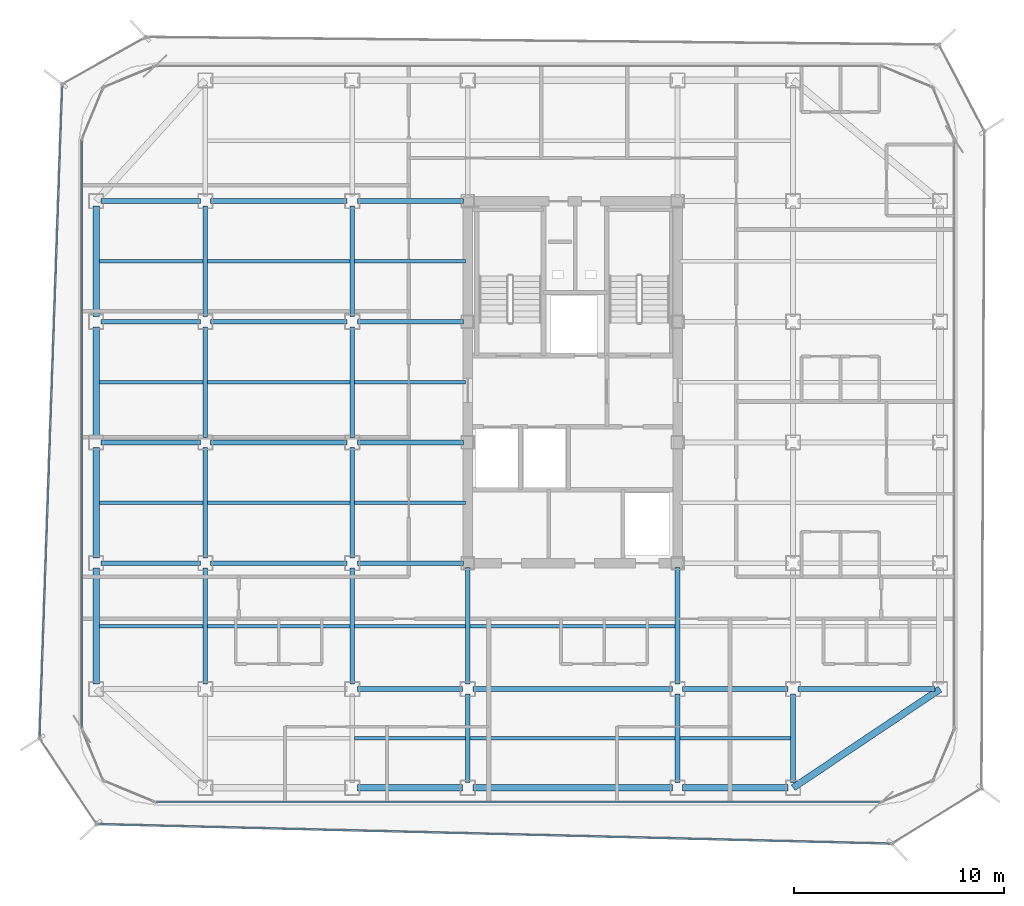
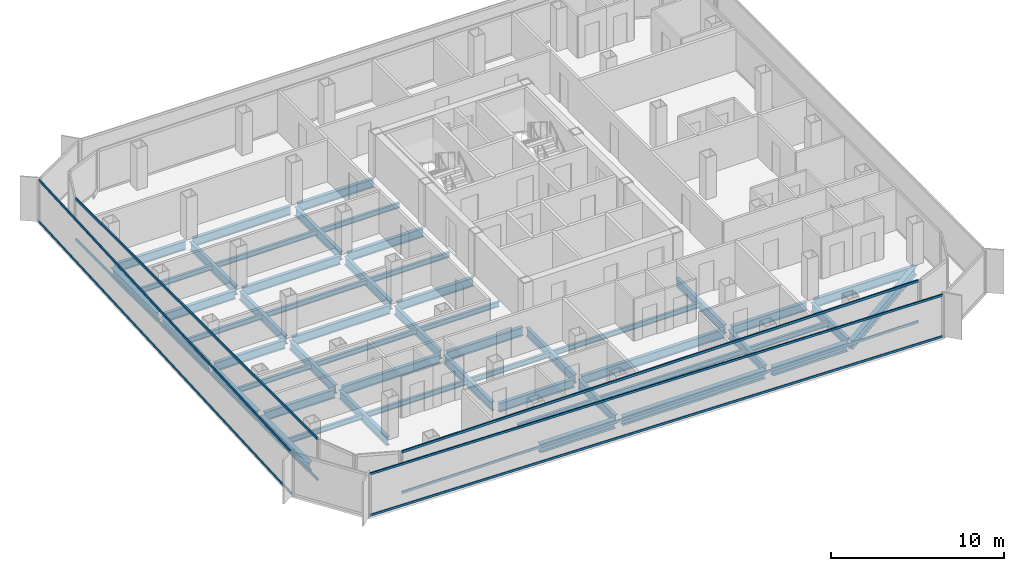
# One storey, part 3 of 15: 53 beams, 8 members, 4 elements without a shape of their own.
"""IFC4 building model written with IfcOpenShell, lengths in metres."""

from ifc_helpers import new_model, si_unit, direction, frame, origin, origin_2d, place, context, subcontext, project, spatial, hollow_rectangle, i_section, extrude, source, transform, mapped, material, layer, layer_set, material_profile, profile_set, type_object, element, aggregate, save


model = new_model("IFC4")

# Units and contexts
model_context = context("Model", 3, precision=1e-05, world=origin(), true_north=direction((0.0, 1.0)))
body_context = subcontext(model_context, "Body", "Model", "MODEL_VIEW")
ifc_project = project(units=[si_unit("LENGTHUNIT", "METRE"), si_unit("AREAUNIT", "SQUARE_METRE"), si_unit("VOLUMEUNIT", "CUBIC_METRE"), si_unit("PLANEANGLEUNIT", "RADIAN"), si_unit("MASSUNIT", "GRAM", prefix="KILO")], contexts=[model_context])

# Site, building, storey
site_placement = place(None, origin())
site = spatial("IfcSite", under=ifc_project, at=site_placement, CompositionType="ELEMENT")
building_placement = place(site_placement, origin())
building = spatial("IfcBuilding", under=site, at=building_placement, Name="Kolveth Station Tower", CompositionType="ELEMENT")
storey_placement = place(building_placement, frame((0.0, 0.0, 199.60009765625)))
storey = spatial("IfcBuildingStorey", under=building, at=storey_placement, Name="L56", CompositionType="ELEMENT", Elevation=199.60009765625)

# Beams
ifc_material_1 = material(Name="Steel S355", Category="steel")
ifc_material_profile_1 = material_profile(ifc_material_1, i_section(OverallWidth=0.323974609375, OverallDepth=0.611083984375, WebThickness=0.0126953125, FlangeThickness=0.01904296875, at=origin_2d()), Name="W610x155")
ifc_profile_set_1 = profile_set([ifc_material_profile_1], Name="Steel S355")
beam_type_1 = type_object("IfcBeamType", Name="Beam_SP2", PredefinedType="SPANDREL", material=ifc_profile_set_1)
shared_shape_1 = source(origin(), body_context, "Body", "SweptSolid", [
    extrude(i_section(OverallWidth=0.323974609375, OverallDepth=0.611083984375, WebThickness=0.0126953125, FlangeThickness=0.01904296875, at=origin_2d()), origin(), (0.0, 0.0, 1.0), 5.02001953125),
])
for number, where, z_axis, x_axis, name in (
    (1, (13.239990234375, 0.800048828125, -0.5556640625), (1.0, 0.0, 0.0), (0.0, 1.0, 0.0), "L56 Perimeter Spandrel BM-L56-PS-2"),
    (2, (28.739990234375, 0.800048828125, -0.5556640625), (1.0, 0.0, 0.0), (0.0, 1.0, 0.0), "L56 Perimeter Spandrel BM-L56-PS-4"),
):
    element("IfcBeam", number, at=place(storey_placement, frame(where, z_axis=z_axis, x_axis=x_axis)), inside=storey, type_object=beam_type_1, Name=name, PredefinedType="SPANDREL", context=body_context, shape_type="MappedRepresentation", body=[
        mapped(shared_shape_1, transform((0.0, 0.0, 0.0), x_axis=(1.0, 0.0, 0.0), y_axis=(0.0, 1.0, 0.0), z_axis=(0.0, 0.0, 1.0), scale=1.0)),
    ])
shared_shape_2 = source(origin(), body_context, "Body", "SweptSolid", [
    extrude(i_section(OverallWidth=0.323974609375, OverallDepth=0.611083984375, WebThickness=0.0126953125, FlangeThickness=0.01904296875, at=origin_2d()), origin(), (0.0, 0.0, 1.0), 9.52001953125),
])
beam_1_placement = place(storey_placement, frame((18.739990234375, 0.800048828125, -0.5556640625), z_axis=(1.0, 0.0, 0.0), x_axis=(0.0, 1.0, 0.0)))
element("IfcBeam", 3, at=beam_1_placement, inside=storey, type_object=beam_type_1, Name="L56 Perimeter Spandrel BM-L56-PS-3", PredefinedType="SPANDREL", context=body_context, shape_type="MappedRepresentation", body=[
    mapped(shared_shape_2, transform((0.0, 0.0, 0.0), x_axis=(1.0, 0.0, 0.0), y_axis=(0.0, 1.0, 0.0), z_axis=(0.0, 0.0, 1.0), scale=1.0)),
])
shared_shape_3 = source(origin(), body_context, "Body", "SweptSolid", [
    extrude(i_section(OverallWidth=0.323974609375, OverallDepth=0.611083984375, WebThickness=0.0126953125, FlangeThickness=0.01904296875, at=origin_2d()), origin(), (0.0, 0.0, 1.0), 5.52001953125),
])
beam_2_placement = place(storey_placement, frame((0.800048828125, 5.739990234375, -0.5556640625), z_axis=(0.0, 1.0, 0.0), x_axis=(-1.0, 0.0, 0.0)))
element("IfcBeam", 4, at=beam_2_placement, inside=storey, type_object=beam_type_1, Name="L56 Perimeter Spandrel BM-L56-PW-1", PredefinedType="SPANDREL", context=body_context, shape_type="MappedRepresentation", body=[
    mapped(shared_shape_3, transform((0.0, 0.0, 0.0), x_axis=(1.0, 0.0, 0.0), y_axis=(0.0, 1.0, 0.0), z_axis=(0.0, 0.0, 1.0), scale=1.0)),
])
shared_shape_4 = source(origin(), body_context, "Body", "SweptSolid", [
    extrude(i_section(OverallWidth=0.323974609375, OverallDepth=0.611083984375, WebThickness=0.0126953125, FlangeThickness=0.01904296875, at=origin_2d()), origin(), (0.0, 0.0, 1.0), 5.27001953125),
])
for number, where, z_axis, x_axis, name in (
    (5, (0.800048828125, 11.739990234375, -0.5556640625), (0.0, 1.0, 0.0), (-1.0, 0.0, 0.0), "L56 Perimeter Spandrel BM-L56-PW-2"),
    (6, (0.800048828125, 17.489990234375, -0.5556640625), (0.0, 1.0, 0.0), (-1.0, 0.0, 0.0), "L56 Perimeter Spandrel BM-L56-PW-3"),
    (7, (0.800048828125, 23.239990234375, -0.5556640625), (0.0, 1.0, 0.0), (-1.0, 0.0, 0.0), "L56 Perimeter Spandrel BM-L56-PW-4"),
):
    element("IfcBeam", number, at=place(storey_placement, frame(where, z_axis=z_axis, x_axis=x_axis)), inside=storey, type_object=beam_type_1, Name=name, PredefinedType="SPANDREL", context=body_context, shape_type="MappedRepresentation", body=[
        mapped(shared_shape_4, transform((0.0, 0.0, 0.0), x_axis=(1.0, 0.0, 0.0), y_axis=(0.0, 1.0, 0.0), z_axis=(0.0, 0.0, 1.0), scale=1.0)),
    ])
shared_shape_5 = source(origin(), body_context, "Body", "SweptSolid", [
    extrude(i_section(OverallWidth=0.323974609375, OverallDepth=0.611083984375, WebThickness=0.0126953125, FlangeThickness=0.01904296875, at=origin_2d()), origin(), (0.0, 0.0, 1.0), 8.431396484375),
])
beam_3_placement = place(storey_placement, frame((34.0, 0.800048828125, -0.5556640625), z_axis=(0.830223811004, 0.557430196206, 0.0), x_axis=(-0.557430196206, 0.830223811004, 0.0)))
element("IfcBeam", 8, at=beam_3_placement, inside=storey, type_object=beam_type_1, Name="L56 Corner Edge Girder BM-L56-CNR-SE", PredefinedType="SPANDREL", context=body_context, shape_type="MappedRepresentation", body=[
    mapped(shared_shape_5, transform((0.0, 0.0, 0.0), x_axis=(1.0, 0.0, 0.0), y_axis=(0.0, 1.0, 0.0), z_axis=(0.0, 0.0, 1.0), scale=1.0)),
])
ifc_material_profile_2 = material_profile(ifc_material_1, i_section(OverallWidth=0.22900390625, OverallDepth=0.612060546875, WebThickness=0.011962890625, FlangeThickness=0.01953125, at=origin_2d()), Name="W610x125")
ifc_profile_set_2 = profile_set([ifc_material_profile_2], Name="Steel S355")
beam_type_2 = type_object("IfcBeamType", Name="Beam_B5", PredefinedType="BEAM", material=ifc_profile_set_2)
shared_shape_6 = source(origin(), body_context, "Body", "SweptSolid", [
    extrude(i_section(OverallWidth=0.22900390625, OverallDepth=0.612060546875, WebThickness=0.011962890625, FlangeThickness=0.01953125, at=origin_2d()), origin(), (0.0, 0.0, 1.0), 4.719970703125),
])
for number, where, z_axis, x_axis, name in (
    (9, (1.0400390625, 11.5, -0.55615234375), (1.0, 0.0, 0.0), (0.0, 1.0, 0.0), "L56 Primary Girder BM-L56-GY115-1"),
    (10, (1.0400390625, 17.25, -0.55615234375), (1.0, 0.0, 0.0), (0.0, 1.0, 0.0), "L56 Primary Girder BM-L56-GY172-1"),
    (11, (1.0400390625, 23.0, -0.55615234375), (1.0, 0.0, 0.0), (0.0, 1.0, 0.0), "L56 Primary Girder BM-L56-GY230-1"),
    (12, (1.0400390625, 28.75, -0.55615234375), (1.0, 0.0, 0.0), (0.0, 1.0, 0.0), "L56 Primary Girder BM-L56-GY287-1"),
):
    element("IfcBeam", number, at=place(storey_placement, frame(where, z_axis=z_axis, x_axis=x_axis)), inside=storey, type_object=beam_type_2, Name=name, PredefinedType="BEAM", context=body_context, shape_type="MappedRepresentation", body=[
        mapped(shared_shape_6, transform((0.0, 0.0, 0.0), x_axis=(1.0, 0.0, 0.0), y_axis=(0.0, 1.0, 0.0), z_axis=(0.0, 0.0, 1.0), scale=1.0)),
    ])
shared_shape_7 = source(origin(), body_context, "Body", "SweptSolid", [
    extrude(i_section(OverallWidth=0.22900390625, OverallDepth=0.612060546875, WebThickness=0.011962890625, FlangeThickness=0.01953125, at=origin_2d()), origin(), (0.0, 0.0, 1.0), 6.52001953125),
])
for number, where, z_axis, x_axis, name in (
    (13, (34.239990234375, 5.5, -0.55615234375), (1.0, 0.0, 0.0), (0.0, 1.0, 0.0), "L56 Primary Girder BM-L56-GY55-6"),
    (14, (6.239990234375, 11.5, -0.55615234375), (1.0, 0.0, 0.0), (0.0, 1.0, 0.0), "L56 Primary Girder BM-L56-GY115-2"),
    (15, (6.239990234375, 17.25, -0.55615234375), (1.0, 0.0, 0.0), (0.0, 1.0, 0.0), "L56 Primary Girder BM-L56-GY172-2"),
    (16, (6.239990234375, 23.0, -0.55615234375), (1.0, 0.0, 0.0), (0.0, 1.0, 0.0), "L56 Primary Girder BM-L56-GY230-2"),
    (17, (6.239990234375, 28.75, -0.55615234375), (1.0, 0.0, 0.0), (0.0, 1.0, 0.0), "L56 Primary Girder BM-L56-GY287-2"),
):
    element("IfcBeam", number, at=place(storey_placement, frame(where, z_axis=z_axis, x_axis=x_axis)), inside=storey, type_object=beam_type_2, Name=name, PredefinedType="BEAM", context=body_context, shape_type="MappedRepresentation", body=[
        mapped(shared_shape_7, transform((0.0, 0.0, 0.0), x_axis=(1.0, 0.0, 0.0), y_axis=(0.0, 1.0, 0.0), z_axis=(0.0, 0.0, 1.0), scale=1.0)),
    ])
shared_shape_8 = source(origin(), body_context, "Body", "SweptSolid", [
    extrude(i_section(OverallWidth=0.22900390625, OverallDepth=0.612060546875, WebThickness=0.011962890625, FlangeThickness=0.01953125, at=origin_2d()), origin(), (0.0, 0.0, 1.0), 5.02001953125),
])
for number, where, z_axis, x_axis, name in (
    (18, (13.239990234375, 5.5, -0.55615234375), (1.0, 0.0, 0.0), (0.0, 1.0, 0.0), "L56 Primary Girder BM-L56-GY55-3"),
    (19, (28.739990234375, 5.5, -0.55615234375), (1.0, 0.0, 0.0), (0.0, 1.0, 0.0), "L56 Primary Girder BM-L56-GY55-5"),
):
    element("IfcBeam", number, at=place(storey_placement, frame(where, z_axis=z_axis, x_axis=x_axis)), inside=storey, type_object=beam_type_2, Name=name, PredefinedType="BEAM", context=body_context, shape_type="MappedRepresentation", body=[
        mapped(shared_shape_8, transform((0.0, 0.0, 0.0), x_axis=(1.0, 0.0, 0.0), y_axis=(0.0, 1.0, 0.0), z_axis=(0.0, 0.0, 1.0), scale=1.0)),
    ])
shared_shape_9 = source(origin(), body_context, "Body", "SweptSolid", [
    extrude(i_section(OverallWidth=0.22900390625, OverallDepth=0.612060546875, WebThickness=0.011962890625, FlangeThickness=0.01953125, at=origin_2d()), origin(), (0.0, 0.0, 1.0), 9.52001953125),
])
beam_4_placement = place(storey_placement, frame((18.739990234375, 5.5, -0.55615234375), z_axis=(1.0, 0.0, 0.0), x_axis=(0.0, 1.0, 0.0)))
element("IfcBeam", 20, at=beam_4_placement, inside=storey, type_object=beam_type_2, Name="L56 Primary Girder BM-L56-GY55-4", PredefinedType="BEAM", context=body_context, shape_type="MappedRepresentation", body=[
    mapped(shared_shape_9, transform((0.0, 0.0, 0.0), x_axis=(1.0, 0.0, 0.0), y_axis=(0.0, 1.0, 0.0), z_axis=(0.0, 0.0, 1.0), scale=1.0)),
])
shared_shape_10 = source(origin(), body_context, "Body", "SweptSolid", [
    extrude(i_section(OverallWidth=0.22900390625, OverallDepth=0.612060546875, WebThickness=0.011962890625, FlangeThickness=0.01953125, at=origin_2d()), origin(), (0.0, 0.0, 1.0), 5.06005859375),
])
for number, where, z_axis, x_axis, name in (
    (21, (13.239990234375, 11.5, -0.55615234375), (1.0, 0.0, 0.0), (0.0, 1.0, 0.0), "L56 Primary Girder BM-L56-GY115-3"),
    (22, (13.239990234375, 17.25, -0.55615234375), (1.0, 0.0, 0.0), (0.0, 1.0, 0.0), "L56 Primary Girder BM-L56-GY172-3"),
    (23, (13.239990234375, 23.0, -0.55615234375), (1.0, 0.0, 0.0), (0.0, 1.0, 0.0), "L56 Primary Girder BM-L56-GY230-3"),
    (24, (13.239990234375, 28.75, -0.55615234375), (1.0, 0.0, 0.0), (0.0, 1.0, 0.0), "L56 Primary Girder BM-L56-GY287-3"),
):
    element("IfcBeam", number, at=place(storey_placement, frame(where, z_axis=z_axis, x_axis=x_axis)), inside=storey, type_object=beam_type_2, Name=name, PredefinedType="BEAM", context=body_context, shape_type="MappedRepresentation", body=[
        mapped(shared_shape_10, transform((0.0, 0.0, 0.0), x_axis=(1.0, 0.0, 0.0), y_axis=(0.0, 1.0, 0.0), z_axis=(0.0, 0.0, 1.0), scale=1.0)),
    ])
shared_shape_11 = source(origin(), body_context, "Body", "SweptSolid", [
    extrude(i_section(OverallWidth=0.22900390625, OverallDepth=0.612060546875, WebThickness=0.011962890625, FlangeThickness=0.01953125, at=origin_2d()), origin(), (0.0, 0.0, 1.0), 4.219970703125),
])
for number, where, z_axis, x_axis, name in (
    (25, (18.5, 1.0400390625, -0.55615234375), (0.0, 1.0, 0.0), (-1.0, 0.0, 0.0), "L56 Primary Girder BM-L56-GX185-1"),
    (26, (28.5, 1.0400390625, -0.55615234375), (0.0, 1.0, 0.0), (-1.0, 0.0, 0.0), "L56 Primary Girder BM-L56-GX285-1"),
    (27, (34.0, 1.0400390625, -0.55615234375), (0.0, 1.0, 0.0), (-1.0, 0.0, 0.0), "L56 Primary Girder BM-L56-GX340-1"),
):
    element("IfcBeam", number, at=place(storey_placement, frame(where, z_axis=z_axis, x_axis=x_axis)), inside=storey, type_object=beam_type_2, Name=name, PredefinedType="BEAM", context=body_context, shape_type="MappedRepresentation", body=[
        mapped(shared_shape_11, transform((0.0, 0.0, 0.0), x_axis=(1.0, 0.0, 0.0), y_axis=(0.0, 1.0, 0.0), z_axis=(0.0, 0.0, 1.0), scale=1.0)),
    ])
shared_shape_12 = source(origin(), body_context, "Body", "SweptSolid", [
    extrude(i_section(OverallWidth=0.22900390625, OverallDepth=0.612060546875, WebThickness=0.011962890625, FlangeThickness=0.01953125, at=origin_2d()), origin(), (0.0, 0.0, 1.0), 5.52001953125),
])
for number, where, z_axis, x_axis, name in (
    (28, (6.0, 5.739990234375, -0.55615234375), (0.0, 1.0, 0.0), (-1.0, 0.0, 0.0), "L56 Primary Girder BM-L56-GX60-2"),
    (29, (13.0, 5.739990234375, -0.55615234375), (0.0, 1.0, 0.0), (-1.0, 0.0, 0.0), "L56 Primary Girder BM-L56-GX130-2"),
):
    element("IfcBeam", number, at=place(storey_placement, frame(where, z_axis=z_axis, x_axis=x_axis)), inside=storey, type_object=beam_type_2, Name=name, PredefinedType="BEAM", context=body_context, shape_type="MappedRepresentation", body=[
        mapped(shared_shape_12, transform((0.0, 0.0, 0.0), x_axis=(1.0, 0.0, 0.0), y_axis=(0.0, 1.0, 0.0), z_axis=(0.0, 0.0, 1.0), scale=1.0)),
    ])
shared_shape_13 = source(origin(), body_context, "Body", "SweptSolid", [
    extrude(i_section(OverallWidth=0.22900390625, OverallDepth=0.612060546875, WebThickness=0.011962890625, FlangeThickness=0.01953125, at=origin_2d()), origin(), (0.0, 0.0, 1.0), 5.27001953125),
])
for number, where, z_axis, x_axis, name in (
    (30, (6.0, 11.739990234375, -0.55615234375), (0.0, 1.0, 0.0), (-1.0, 0.0, 0.0), "L56 Primary Girder BM-L56-GX60-3"),
    (31, (6.0, 17.489990234375, -0.55615234375), (0.0, 1.0, 0.0), (-1.0, 0.0, 0.0), "L56 Primary Girder BM-L56-GX60-4"),
    (32, (6.0, 23.239990234375, -0.55615234375), (0.0, 1.0, 0.0), (-1.0, 0.0, 0.0), "L56 Primary Girder BM-L56-GX60-5"),
    (33, (13.0, 11.739990234375, -0.55615234375), (0.0, 1.0, 0.0), (-1.0, 0.0, 0.0), "L56 Primary Girder BM-L56-GX130-3"),
    (34, (13.0, 17.489990234375, -0.55615234375), (0.0, 1.0, 0.0), (-1.0, 0.0, 0.0), "L56 Primary Girder BM-L56-GX130-4"),
    (35, (13.0, 23.239990234375, -0.55615234375), (0.0, 1.0, 0.0), (-1.0, 0.0, 0.0), "L56 Primary Girder BM-L56-GX130-5"),
):
    element("IfcBeam", number, at=place(storey_placement, frame(where, z_axis=z_axis, x_axis=x_axis)), inside=storey, type_object=beam_type_2, Name=name, PredefinedType="BEAM", context=body_context, shape_type="MappedRepresentation", body=[
        mapped(shared_shape_13, transform((0.0, 0.0, 0.0), x_axis=(1.0, 0.0, 0.0), y_axis=(0.0, 1.0, 0.0), z_axis=(0.0, 0.0, 1.0), scale=1.0)),
    ])
shared_shape_14 = source(origin(), body_context, "Body", "SweptSolid", [
    extrude(i_section(OverallWidth=0.22900390625, OverallDepth=0.612060546875, WebThickness=0.011962890625, FlangeThickness=0.01953125, at=origin_2d()), origin(), (0.0, 0.0, 1.0), 5.56005859375),
])
for number, where, z_axis, x_axis, name in (
    (36, (18.5, 5.739990234375, -0.55615234375), (0.0, 1.0, 0.0), (-1.0, 0.0, 0.0), "L56 Primary Girder BM-L56-GX185-2"),
    (37, (28.5, 5.739990234375, -0.55615234375), (0.0, 1.0, 0.0), (-1.0, 0.0, 0.0), "L56 Primary Girder BM-L56-GX285-2"),
):
    element("IfcBeam", number, at=place(storey_placement, frame(where, z_axis=z_axis, x_axis=x_axis)), inside=storey, type_object=beam_type_2, Name=name, PredefinedType="BEAM", context=body_context, shape_type="MappedRepresentation", body=[
        mapped(shared_shape_14, transform((0.0, 0.0, 0.0), x_axis=(1.0, 0.0, 0.0), y_axis=(0.0, 1.0, 0.0), z_axis=(0.0, 0.0, 1.0), scale=1.0)),
    ])
ifc_material_profile_3 = material_profile(ifc_material_1, i_section(OverallWidth=0.1708984375, OverallDepth=0.35205078125, WebThickness=0.0068359375, FlangeThickness=0.009765625, at=origin_2d()), Name="W360x44")
ifc_profile_set_3 = profile_set([ifc_material_profile_3], Name="Steel S355")
beam_type_3 = type_object("IfcBeamType", Name="Beam_J2", PredefinedType="JOIST", material=ifc_profile_set_3)
shared_shape_15 = source(origin(), body_context, "Body", "SweptSolid", [
    extrude(i_section(OverallWidth=0.1708984375, OverallDepth=0.35205078125, WebThickness=0.0068359375, FlangeThickness=0.009765625, at=origin_2d()), origin(), (0.0, 0.0, 1.0), 4.927490234375),
])
for number, where, z_axis, x_axis, name in (
    (38, (0.9599609375, 8.5, -0.426025390625), (1.0, 0.0, 0.0), (0.0, 1.0, 0.0), "L56 Secondary Joist JST-L56-1-2"),
    (39, (0.9599609375, 14.375, -0.426025390625), (1.0, 0.0, 0.0), (0.0, 1.0, 0.0), "L56 Secondary Joist JST-L56-1-3"),
    (40, (0.9599609375, 20.125, -0.426025390625), (1.0, 0.0, 0.0), (0.0, 1.0, 0.0), "L56 Secondary Joist JST-L56-1-4"),
    (41, (0.9599609375, 25.875, -0.426025390625), (1.0, 0.0, 0.0), (0.0, 1.0, 0.0), "L56 Secondary Joist JST-L56-1-5"),
):
    element("IfcBeam", number, at=place(storey_placement, frame(where, z_axis=z_axis, x_axis=x_axis)), inside=storey, type_object=beam_type_3, Name=name, PredefinedType="JOIST", context=body_context, shape_type="MappedRepresentation", body=[
        mapped(shared_shape_15, transform((0.0, 0.0, 0.0), x_axis=(1.0, 0.0, 0.0), y_axis=(0.0, 1.0, 0.0), z_axis=(0.0, 0.0, 1.0), scale=1.0)),
    ])
shared_shape_16 = source(origin(), body_context, "Body", "SweptSolid", [
    extrude(i_section(OverallWidth=0.1708984375, OverallDepth=0.35205078125, WebThickness=0.0068359375, FlangeThickness=0.009765625, at=origin_2d()), origin(), (0.0, 0.0, 1.0), 6.77490234375),
])
for number, where, z_axis, x_axis, name in (
    (42, (6.112548828125, 8.5, -0.426025390625), (1.0, 0.0, 0.0), (0.0, 1.0, 0.0), "L56 Secondary Joist JST-L56-2-2"),
    (43, (6.112548828125, 14.375, -0.426025390625), (1.0, 0.0, 0.0), (0.0, 1.0, 0.0), "L56 Secondary Joist JST-L56-2-3"),
    (44, (6.112548828125, 20.125, -0.426025390625), (1.0, 0.0, 0.0), (0.0, 1.0, 0.0), "L56 Secondary Joist JST-L56-2-4"),
    (45, (6.112548828125, 25.875, -0.426025390625), (1.0, 0.0, 0.0), (0.0, 1.0, 0.0), "L56 Secondary Joist JST-L56-2-5"),
):
    element("IfcBeam", number, at=place(storey_placement, frame(where, z_axis=z_axis, x_axis=x_axis)), inside=storey, type_object=beam_type_3, Name=name, PredefinedType="JOIST", context=body_context, shape_type="MappedRepresentation", body=[
        mapped(shared_shape_16, transform((0.0, 0.0, 0.0), x_axis=(1.0, 0.0, 0.0), y_axis=(0.0, 1.0, 0.0), z_axis=(0.0, 0.0, 1.0), scale=1.0)),
    ])
shared_shape_17 = source(origin(), body_context, "Body", "SweptSolid", [
    extrude(i_section(OverallWidth=0.1708984375, OverallDepth=0.35205078125, WebThickness=0.0068359375, FlangeThickness=0.009765625, at=origin_2d()), origin(), (0.0, 0.0, 1.0), 5.27490234375),
])
for number, where, z_axis, x_axis, name in (
    (46, (13.112548828125, 3.14990234375, -0.426025390625), (1.0, 0.0, 0.0), (0.0, 1.0, 0.0), "L56 Secondary Joist JST-L56-3-1"),
    (47, (13.112548828125, 8.5, -0.426025390625), (1.0, 0.0, 0.0), (0.0, 1.0, 0.0), "L56 Secondary Joist JST-L56-3-2"),
    (48, (13.112548828125, 14.375, -0.426025390625), (1.0, 0.0, 0.0), (0.0, 1.0, 0.0), "L56 Secondary Joist JST-L56-3-3"),
    (49, (13.112548828125, 20.125, -0.426025390625), (1.0, 0.0, 0.0), (0.0, 1.0, 0.0), "L56 Secondary Joist JST-L56-3-4"),
    (50, (13.112548828125, 25.875, -0.426025390625), (1.0, 0.0, 0.0), (0.0, 1.0, 0.0), "L56 Secondary Joist JST-L56-3-5"),
    (51, (28.612548828125, 3.14990234375, -0.426025390625), (1.0, 0.0, 0.0), (0.0, 1.0, 0.0), "L56 Secondary Joist JST-L56-5-1"),
):
    element("IfcBeam", number, at=place(storey_placement, frame(where, z_axis=z_axis, x_axis=x_axis)), inside=storey, type_object=beam_type_3, Name=name, PredefinedType="JOIST", context=body_context, shape_type="MappedRepresentation", body=[
        mapped(shared_shape_17, transform((0.0, 0.0, 0.0), x_axis=(1.0, 0.0, 0.0), y_axis=(0.0, 1.0, 0.0), z_axis=(0.0, 0.0, 1.0), scale=1.0)),
    ])
shared_shape_18 = source(origin(), body_context, "Body", "SweptSolid", [
    extrude(i_section(OverallWidth=0.1708984375, OverallDepth=0.35205078125, WebThickness=0.0068359375, FlangeThickness=0.009765625, at=origin_2d()), origin(), (0.0, 0.0, 1.0), 9.77490234375),
])
for number, where, z_axis, x_axis, name in (
    (52, (18.612548828125, 3.14990234375, -0.426025390625), (1.0, 0.0, 0.0), (0.0, 1.0, 0.0), "L56 Secondary Joist JST-L56-4-1"),
    (53, (18.612548828125, 8.5, -0.426025390625), (1.0, 0.0, 0.0), (0.0, 1.0, 0.0), "L56 Secondary Joist JST-L56-4-2"),
):
    element("IfcBeam", number, at=place(storey_placement, frame(where, z_axis=z_axis, x_axis=x_axis)), inside=storey, type_object=beam_type_3, Name=name, PredefinedType="JOIST", context=body_context, shape_type="MappedRepresentation", body=[
        mapped(shared_shape_18, transform((0.0, 0.0, 0.0), x_axis=(1.0, 0.0, 0.0), y_axis=(0.0, 1.0, 0.0), z_axis=(0.0, 0.0, 1.0), scale=1.0)),
    ])

# Curtain wall, members
ifc_material_2 = material(Name="Aluminium 6063-T6 and low-E dark glass", Category="aluminium")
ifc_layer_1 = layer(ifc_material_2, 0.18994140625)
ifc_layer_set_1 = layer_set([ifc_layer_1], Name="Aluminium 6063-T6 and low-E dark glass")
curtain_wall_type_1 = type_object("IfcCurtainWallType", Name="CurtainWall_CW-Z2", PredefinedType="NOTDEFINED", material=ifc_layer_set_1)
curtain_wall_1_placement = place(storey_placement, origin())
curtain_wall_1 = element("IfcCurtainWall", 54, at=curtain_wall_1_placement, inside=storey, type_object=curtain_wall_type_1, Name="L56 Inner Thermal Curtain Wall 9", PredefinedType="NOTDEFINED")
ifc_material_3 = material(Name="Black anodized aluminium 6063-T6", Category="aluminium")
ifc_material_profile_4 = material_profile(ifc_material_3, hollow_rectangle(XDim=0.080078125, YDim=0.169921875, WallThickness=0.0048828125, at=origin_2d()), Name="ALU-80x170x5")
ifc_profile_set_4 = profile_set([ifc_material_profile_4], Name="Black anodized aluminium 6063-T6")
member_type_1 = type_object("IfcMemberType", Name="Transom_TR2", PredefinedType="USERDEFINED", material=ifc_profile_set_4)
shared_shape_19 = source(origin(), body_context, "Body", "SweptSolid", [
    extrude(hollow_rectangle(XDim=0.080078125, YDim=0.169921875, WallThickness=0.0048828125, at=origin_2d()), origin(), (0.0, 0.0, 1.0), 27.940185546875),
])
member_1_placement = place(storey_placement, frame((0.1201171875, 31.6201171875, 0.039794921875), z_axis=(0.0, -1.0, 0.0), x_axis=(1.0, 0.0, 0.0)))
member_1 = element("IfcMember", 55, at=member_1_placement, type_object=member_type_1, Name="CW-Z2 transom 1.1", ObjectType="TRANSOM", PredefinedType="USERDEFINED", context=body_context, shape_type="MappedRepresentation", body=[
    mapped(shared_shape_19, transform((0.0, 0.0, 0.0), x_axis=(1.0, 0.0, 0.0), y_axis=(0.0, 1.0, 0.0), z_axis=(0.0, 0.0, 1.0), scale=1.0)),
])
member_2_placement = place(storey_placement, frame((0.1201171875, 31.6201171875, 2.909912109375), z_axis=(0.0, -1.0, 0.0), x_axis=(1.0, 0.0, 0.0)))
member_2 = element("IfcMember", 56, at=member_2_placement, type_object=member_type_1, Name="CW-Z2 transom 1.2", ObjectType="TRANSOM", PredefinedType="USERDEFINED", context=body_context, shape_type="MappedRepresentation", body=[
    mapped(shared_shape_19, transform((0.0, 0.0, 0.0), x_axis=(1.0, 0.0, 0.0), y_axis=(0.0, 1.0, 0.0), z_axis=(0.0, 0.0, 1.0), scale=1.0)),
])
aggregate(curtain_wall_1, [member_1, member_2])

curtain_wall_2_placement = place(storey_placement, origin())
curtain_wall_2 = element("IfcCurtainWall", 57, at=curtain_wall_2_placement, inside=storey, type_object=curtain_wall_type_1, Name="L56 Inner Thermal Curtain Wall 12", PredefinedType="NOTDEFINED")
shared_shape_20 = source(origin(), body_context, "Body", "SweptSolid", [
    extrude(hollow_rectangle(XDim=0.080078125, YDim=0.169921875, WallThickness=0.0048828125, at=origin_2d()), origin(), (0.0, 0.0, 1.0), 34.440185546875),
])
member_3_placement = place(storey_placement, frame((3.679931640625, 0.1201171875, 0.039794921875), z_axis=(1.0, 0.0, 0.0), x_axis=(0.0, 1.0, 0.0)))
member_3 = element("IfcMember", 58, at=member_3_placement, type_object=member_type_1, Name="CW-Z2 transom 1.1", ObjectType="TRANSOM", PredefinedType="USERDEFINED", context=body_context, shape_type="MappedRepresentation", body=[
    mapped(shared_shape_20, transform((0.0, 0.0, 0.0), x_axis=(1.0, 0.0, 0.0), y_axis=(0.0, 1.0, 0.0), z_axis=(0.0, 0.0, 1.0), scale=1.0)),
])
member_4_placement = place(storey_placement, frame((3.679931640625, 0.1201171875, 2.909912109375), z_axis=(1.0, 0.0, 0.0), x_axis=(0.0, 1.0, 0.0)))
member_4 = element("IfcMember", 59, at=member_4_placement, type_object=member_type_1, Name="CW-Z2 transom 1.2", ObjectType="TRANSOM", PredefinedType="USERDEFINED", context=body_context, shape_type="MappedRepresentation", body=[
    mapped(shared_shape_20, transform((0.0, 0.0, 0.0), x_axis=(1.0, 0.0, 0.0), y_axis=(0.0, 1.0, 0.0), z_axis=(0.0, 0.0, 1.0), scale=1.0)),
])
aggregate(curtain_wall_2, [member_3, member_4])

ifc_material_4 = material(Name="Black anodized aluminium 6063-T6 and dark solar glass", Category="aluminium")
ifc_layer_2 = layer(ifc_material_4, 0.159912109375)
ifc_layer_set_2 = layer_set([ifc_layer_2], Name="Black anodized aluminium 6063-T6 and dark solar glass")
curtain_wall_type_2 = type_object("IfcCurtainWallType", Name="OUTER SKIN CW-OS", PredefinedType="NOTDEFINED", material=ifc_layer_set_2)
curtain_wall_3_placement = place(storey_placement, origin())
curtain_wall_3 = element("IfcCurtainWall", 60, at=curtain_wall_3_placement, inside=storey, type_object=curtain_wall_type_2, Name="L56 Outer Ventilated Skin Curtain Wall 6", PredefinedType="NOTDEFINED")
ifc_material_profile_5 = material_profile(ifc_material_3, hollow_rectangle(XDim=0.080078125, YDim=0.14990234375, WallThickness=0.0048828125, at=origin_2d()), Name="ALU-80x150x5")
ifc_profile_set_5 = profile_set([ifc_material_profile_5], Name="Black anodized aluminium 6063-T6")
member_type_2 = type_object("IfcMemberType", Name="Transom_TR-OS", PredefinedType="USERDEFINED", material=ifc_profile_set_5)
shared_shape_21 = source(origin(), body_context, "Body", "SweptSolid", [
    extrude(hollow_rectangle(XDim=0.080078125, YDim=0.14990234375, WallThickness=0.0048828125, at=origin_2d()), origin(), (0.0, 0.0, 1.0), 30.9951171875),
])
member_5_placement = place(storey_placement, frame((-0.8154296875, 34.225341796875, 0.039794921875), z_axis=(-0.034768017863, -0.999395409702, 0.0), x_axis=(0.999395409702, -0.034768017863, 0.0)))
member_5 = element("IfcMember", 61, at=member_5_placement, type_object=member_type_2, Name="CW-OS transom 1.1", ObjectType="TRANSOM", PredefinedType="USERDEFINED", context=body_context, shape_type="MappedRepresentation", body=[
    mapped(shared_shape_21, transform((0.0, 0.0, 0.0), x_axis=(1.0, 0.0, 0.0), y_axis=(0.0, 1.0, 0.0), z_axis=(0.0, 0.0, 1.0), scale=1.0)),
])
member_6_placement = place(storey_placement, frame((-0.8154296875, 34.225341796875, 2.949951171875), z_axis=(-0.034768017863, -0.999395409702, 0.0), x_axis=(0.999395409702, -0.034768017863, 0.0)))
member_6 = element("IfcMember", 62, at=member_6_placement, type_object=member_type_2, Name="CW-OS transom 1.2", ObjectType="TRANSOM", PredefinedType="USERDEFINED", context=body_context, shape_type="MappedRepresentation", body=[
    mapped(shared_shape_21, transform((0.0, 0.0, 0.0), x_axis=(1.0, 0.0, 0.0), y_axis=(0.0, 1.0, 0.0), z_axis=(0.0, 0.0, 1.0), scale=1.0)),
])
aggregate(curtain_wall_3, [member_5, member_6])

curtain_wall_4_placement = place(storey_placement, origin())
curtain_wall_4 = element("IfcCurtainWall", 63, at=curtain_wall_4_placement, inside=storey, type_object=curtain_wall_type_2, Name="L56 Outer Ventilated Skin Curtain Wall 8", PredefinedType="NOTDEFINED")
shared_shape_22 = source(origin(), body_context, "Body", "SweptSolid", [
    extrude(hollow_rectangle(XDim=0.080078125, YDim=0.14990234375, WallThickness=0.0048828125, at=origin_2d()), origin(), (0.0, 0.0, 1.0), 37.706787109375),
])
member_7_placement = place(storey_placement, frame((0.919921875, -0.933837890625, 0.039794921875), z_axis=(0.999696320752, -0.024642773295, 0.0), x_axis=(0.024642773295, 0.999696320752, 0.0)))
member_7 = element("IfcMember", 64, at=member_7_placement, type_object=member_type_2, Name="CW-OS transom 1.1", ObjectType="TRANSOM", PredefinedType="USERDEFINED", context=body_context, shape_type="MappedRepresentation", body=[
    mapped(shared_shape_22, transform((0.0, 0.0, 0.0), x_axis=(1.0, 0.0, 0.0), y_axis=(0.0, 1.0, 0.0), z_axis=(0.0, 0.0, 1.0), scale=1.0)),
])
member_8_placement = place(storey_placement, frame((0.919921875, -0.933837890625, 2.949951171875), z_axis=(0.999696320752, -0.024642773295, 0.0), x_axis=(0.024642773295, 0.999696320752, 0.0)))
member_8 = element("IfcMember", 65, at=member_8_placement, type_object=member_type_2, Name="CW-OS transom 1.2", ObjectType="TRANSOM", PredefinedType="USERDEFINED", context=body_context, shape_type="MappedRepresentation", body=[
    mapped(shared_shape_22, transform((0.0, 0.0, 0.0), x_axis=(1.0, 0.0, 0.0), y_axis=(0.0, 1.0, 0.0), z_axis=(0.0, 0.0, 1.0), scale=1.0)),
])
aggregate(curtain_wall_4, [member_7, member_8])

save(model, "model.ifc")
